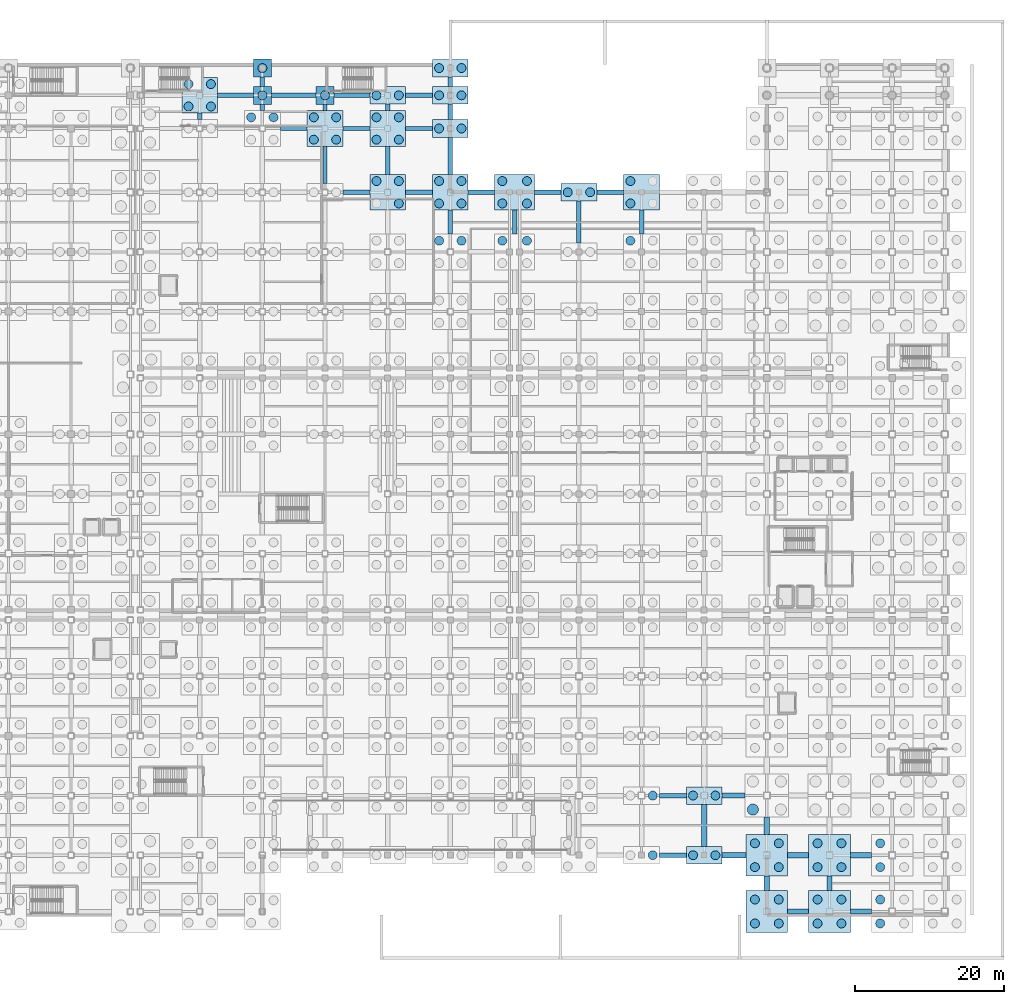
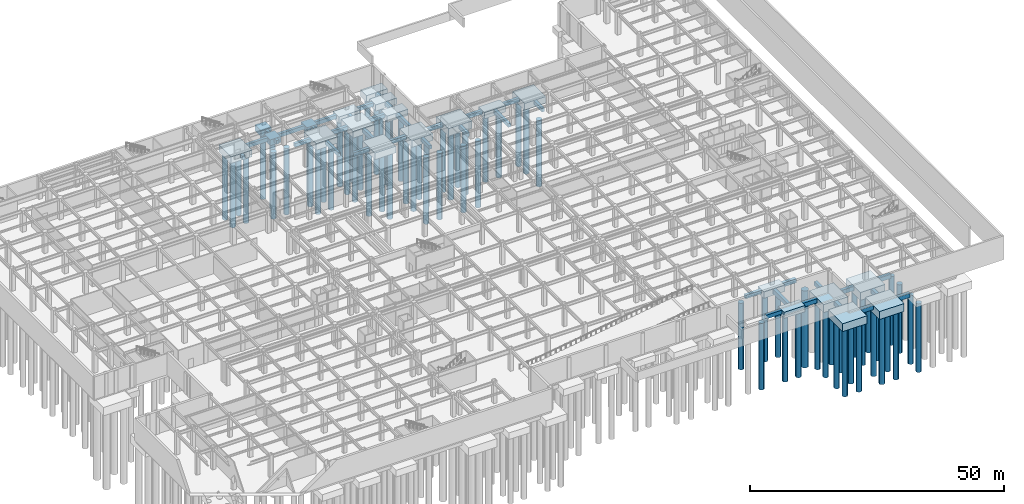
# One storey, part 10 of 55: 72 piles, 59 footings.
"""IFC4 building model written with IfcOpenShell, lengths in metres."""

from ifc_helpers import new_model, si_unit, direction, frame, origin, origin_2d, place, context, subcontext, project, spatial, rectangle, circle, extrude, material, layer, layer_set, material_profile, profile_set, type_object, element, save


model = new_model("IFC4")

# Units and contexts
model_context = context("Model", 3, precision=1e-05, world=origin(), true_north=direction((0.0, 1.0)))
body_context = subcontext(model_context, "Body", "Model", "MODEL_VIEW")
ifc_project = project(units=[si_unit("LENGTHUNIT", "METRE"), si_unit("AREAUNIT", "SQUARE_METRE"), si_unit("VOLUMEUNIT", "CUBIC_METRE"), si_unit("PLANEANGLEUNIT", "RADIAN"), si_unit("MASSUNIT", "GRAM", prefix="KILO")], contexts=[model_context])

# Site, building, storey
site_placement = place(None, origin())
site = spatial("IfcSite", under=ifc_project, at=site_placement, CompositionType="ELEMENT")
building_placement = place(site_placement, origin())
building = spatial("IfcBuilding", under=site, at=building_placement, Name="Kazehara Bluff Congress Hotel", CompositionType="ELEMENT")
storey_placement = place(building_placement, frame((0.0, 0.0, -5.39990234375)))
storey = spatial("IfcBuildingStorey", under=building, at=storey_placement, Name="B1", CompositionType="ELEMENT", Elevation=-5.39990234375)

# Footings
ifc_material_1 = material(Name="Concrete C36/45", Category="concrete")
ifc_material_profile_1 = material_profile(ifc_material_1, rectangle(XDim=0.60009765625, YDim=0.89990234375, at=origin_2d()))
ifc_profile_set_1 = profile_set([ifc_material_profile_1], Name="Concrete C36/45")
footing_type_1 = type_object("IfcFootingType", Name="TP-FB-01", PredefinedType="FOOTING_BEAM", material=ifc_profile_set_1)
for number, where, z_axis, x_axis, name in (
    (1, (129.300048828125, 8.0, -0.9501953125), (1.0, 0.0, 0.0), (0.0, 1.0, 0.0), "Foundation tie beam FB-01 23"),
    (2, (129.300048828125, 16.0, -0.9501953125), (1.0, 0.0, 0.0), (0.0, 1.0, 0.0), "Foundation tie beam FB-01 40"),
    (3, (86.85009765625, 96.89990234375, -0.9501953125), (1.0, 0.0, 0.0), (0.0, 1.0, 0.0), "Foundation tie beam FB-01 208"),
):
    element("IfcFooting", number, at=place(storey_placement, frame(where, z_axis=z_axis, x_axis=x_axis)), inside=storey, type_object=footing_type_1, Name=name, PredefinedType="FOOTING_BEAM", context=body_context, shape_type="SweptSolid", body=[
        extrude(rectangle(XDim=0.60009765625, YDim=0.89990234375, at=origin_2d()), origin(), (0.0, 0.0, 1.0), 3.599853515625),
    ])
footing_1_placement = place(storey_placement, frame((95.25, 96.89990234375, -0.9501953125), z_axis=(1.0, 0.0, 0.0), x_axis=(0.0, 1.0, 0.0)))
element("IfcFooting", 4, at=footing_1_placement, inside=storey, type_object=footing_type_1, Name="Foundation tie beam FB-01 209", PredefinedType="FOOTING_BEAM", context=body_context, shape_type="SweptSolid", body=[
    extrude(rectangle(XDim=0.60009765625, YDim=0.89990234375, at=origin_2d()), origin(), (0.0, 0.0, 1.0), 3.60009765625),
])
for number, where, z_axis, x_axis, name in (
    (5, (103.64990234375, 96.89990234375, -0.9501953125), (1.0, 0.0, 0.0), (0.0, 1.0, 0.0), "Foundation tie beam FB-01 210"),
    (6, (112.574951171875, 96.89990234375, -0.9501953125), (1.0, 0.0, 0.0), (0.0, 1.0, 0.0), "Foundation tie beam FB-01 211"),
):
    element("IfcFooting", number, at=place(storey_placement, frame(where, z_axis=z_axis, x_axis=x_axis)), inside=storey, type_object=footing_type_1, Name=name, PredefinedType="FOOTING_BEAM", context=body_context, shape_type="SweptSolid", body=[
        extrude(rectangle(XDim=0.60009765625, YDim=0.89990234375, at=origin_2d()), origin(), (0.0, 0.0, 1.0), 3.525146484375),
    ])
for number, where, z_axis, x_axis, name in (
    (7, (120.89990234375, 96.89990234375, -0.9501953125), (1.0, 0.0, 0.0), (0.0, 1.0, 0.0), "Foundation tie beam FB-01 212"),
    (8, (78.449951171875, 105.449951171875, -0.9501953125), (1.0, 0.0, 0.0), (0.0, 1.0, 0.0), "Foundation tie beam FB-01 226"),
):
    element("IfcFooting", number, at=place(storey_placement, frame(where, z_axis=z_axis, x_axis=x_axis)), inside=storey, type_object=footing_type_1, Name=name, PredefinedType="FOOTING_BEAM", context=body_context, shape_type="SweptSolid", body=[
        extrude(rectangle(XDim=0.60009765625, YDim=0.89990234375, at=origin_2d()), origin(), (0.0, 0.0, 1.0), 3.60009765625),
    ])
footing_2_placement = place(storey_placement, frame((86.85009765625, 105.449951171875, -0.9501953125), z_axis=(1.0, 0.0, 0.0), x_axis=(0.0, 1.0, 0.0)))
element("IfcFooting", 9, at=footing_2_placement, inside=storey, type_object=footing_type_1, Name="Foundation tie beam FB-01 227", PredefinedType="FOOTING_BEAM", context=body_context, shape_type="SweptSolid", body=[
    extrude(rectangle(XDim=0.60009765625, YDim=0.89990234375, at=origin_2d()), origin(), (0.0, 0.0, 1.0), 3.599853515625),
])
footing_3_placement = place(storey_placement, frame((95.25, 105.449951171875, -0.9501953125), z_axis=(1.0, 0.0, 0.0), x_axis=(0.0, 1.0, 0.0)))
element("IfcFooting", 10, at=footing_3_placement, inside=storey, type_object=footing_type_1, Name="Foundation tie beam FB-01 228", PredefinedType="FOOTING_BEAM", context=body_context, shape_type="SweptSolid", body=[
    extrude(rectangle(XDim=0.60009765625, YDim=0.89990234375, at=origin_2d()), origin(), (0.0, 0.0, 1.0), 3.60009765625),
])
footing_4_placement = place(storey_placement, frame((70.050048828125, 109.89990234375, -0.9501953125), z_axis=(1.0, 0.0, 0.0), x_axis=(0.0, 1.0, 0.0)))
element("IfcFooting", 11, at=footing_4_placement, inside=storey, type_object=footing_type_1, Name="Foundation tie beam FB-01 236", PredefinedType="FOOTING_BEAM", context=body_context, shape_type="SweptSolid", body=[
    extrude(rectangle(XDim=0.60009765625, YDim=0.89990234375, at=origin_2d()), origin(), (0.0, 0.0, 1.0), 4.800048828125),
])
footing_5_placement = place(storey_placement, frame((77.25, 109.89990234375, -0.9501953125), z_axis=(1.0, 0.0, 0.0), x_axis=(0.0, 1.0, 0.0)))
element("IfcFooting", 12, at=footing_5_placement, inside=storey, type_object=footing_type_1, Name="Foundation tie beam FB-01 237", PredefinedType="FOOTING_BEAM", context=body_context, shape_type="SweptSolid", body=[
    extrude(rectangle(XDim=0.60009765625, YDim=0.89990234375, at=origin_2d()), origin(), (0.0, 0.0, 1.0), 6.0),
])
footing_6_placement = place(storey_placement, frame((85.64990234375, 109.89990234375, -0.9501953125), z_axis=(1.0, 0.0, 0.0), x_axis=(0.0, 1.0, 0.0)))
element("IfcFooting", 13, at=footing_6_placement, inside=storey, type_object=footing_type_1, Name="Foundation tie beam FB-01 238", PredefinedType="FOOTING_BEAM", context=body_context, shape_type="SweptSolid", body=[
    extrude(rectangle(XDim=0.60009765625, YDim=0.89990234375, at=origin_2d()), origin(), (0.0, 0.0, 1.0), 4.800048828125),
])
footing_7_placement = place(storey_placement, frame((95.25, 109.89990234375, -0.9501953125), z_axis=(1.0, 0.0, 0.0), x_axis=(0.0, 1.0, 0.0)))
element("IfcFooting", 14, at=footing_7_placement, inside=storey, type_object=footing_type_1, Name="Foundation tie beam FB-01 239", PredefinedType="FOOTING_BEAM", context=body_context, shape_type="SweptSolid", body=[
    extrude(rectangle(XDim=0.60009765625, YDim=0.89990234375, at=origin_2d()), origin(), (0.0, 0.0, 1.0), 3.60009765625),
])
footing_8_placement = place(storey_placement, frame((67.64990234375, 106.625, -0.9501953125), z_axis=(0.0, 1.0, 0.0), x_axis=(-1.0, 0.0, 0.0)))
element("IfcFooting", 15, at=footing_8_placement, inside=storey, type_object=footing_type_1, Name="Foundation tie beam FB-01 350", PredefinedType="FOOTING_BEAM", context=body_context, shape_type="SweptSolid", body=[
    extrude(rectangle(XDim=0.60009765625, YDim=0.89990234375, at=origin_2d()), origin(), (0.0, 0.0, 1.0), 0.875),
])
footing_9_placement = place(storey_placement, frame((76.050048828125, 107.85009765625, -0.9501953125), z_axis=(0.0, 1.0, 0.0), x_axis=(-1.0, 0.0, 0.0)))
element("IfcFooting", 16, at=footing_9_placement, inside=storey, type_object=footing_type_1, Name="Foundation tie beam FB-01 363", PredefinedType="FOOTING_BEAM", context=body_context, shape_type="SweptSolid", body=[
    extrude(rectangle(XDim=0.60009765625, YDim=0.89990234375, at=origin_2d()), origin(), (0.0, 0.0, 1.0), 0.849853515625),
])
footing_10_placement = place(storey_placement, frame((76.050048828125, 111.10009765625, -0.9501953125), z_axis=(0.0, 1.0, 0.0), x_axis=(-1.0, 0.0, 0.0)))
element("IfcFooting", 17, at=footing_10_placement, inside=storey, type_object=footing_type_1, Name="Foundation tie beam FB-01 364", PredefinedType="FOOTING_BEAM", context=body_context, shape_type="SweptSolid", body=[
    extrude(rectangle(XDim=0.60009765625, YDim=0.89990234375, at=origin_2d()), origin(), (0.0, 0.0, 1.0), 1.25),
])
footing_11_placement = place(storey_placement, frame((84.449951171875, 98.074951171875, -0.9501953125), z_axis=(0.0, 1.0, 0.0), x_axis=(-1.0, 0.0, 0.0)))
element("IfcFooting", 18, at=footing_11_placement, inside=storey, type_object=footing_type_1, Name="Foundation tie beam FB-01 374", PredefinedType="FOOTING_BEAM", context=body_context, shape_type="SweptSolid", body=[
    extrude(rectangle(XDim=0.60009765625, YDim=0.89990234375, at=origin_2d()), origin(), (0.0, 0.0, 1.0), 4.97509765625),
])
footing_12_placement = place(storey_placement, frame((84.449951171875, 107.85009765625, -0.9501953125), z_axis=(0.0, 1.0, 0.0), x_axis=(-1.0, 0.0, 0.0)))
element("IfcFooting", 19, at=footing_12_placement, inside=storey, type_object=footing_type_1, Name="Foundation tie beam FB-01 375", PredefinedType="FOOTING_BEAM", context=body_context, shape_type="SweptSolid", body=[
    extrude(rectangle(XDim=0.60009765625, YDim=0.89990234375, at=origin_2d()), origin(), (0.0, 0.0, 1.0), 0.849853515625),
])
footing_13_placement = place(storey_placement, frame((92.85009765625, 99.300048828125, -0.9501953125), z_axis=(0.0, 1.0, 0.0), x_axis=(-1.0, 0.0, 0.0)))
element("IfcFooting", 20, at=footing_13_placement, inside=storey, type_object=footing_type_1, Name="Foundation tie beam FB-01 387", PredefinedType="FOOTING_BEAM", context=body_context, shape_type="SweptSolid", body=[
    extrude(rectangle(XDim=0.60009765625, YDim=0.89990234375, at=origin_2d()), origin(), (0.0, 0.0, 1.0), 3.75),
])
footing_14_placement = place(storey_placement, frame((92.85009765625, 107.85009765625, -0.9501953125), z_axis=(0.0, 1.0, 0.0), x_axis=(-1.0, 0.0, 0.0)))
element("IfcFooting", 21, at=footing_14_placement, inside=storey, type_object=footing_type_1, Name="Foundation tie beam FB-01 388", PredefinedType="FOOTING_BEAM", context=body_context, shape_type="SweptSolid", body=[
    extrude(rectangle(XDim=0.60009765625, YDim=0.89990234375, at=origin_2d()), origin(), (0.0, 0.0, 1.0), 0.875),
])
footing_15_placement = place(storey_placement, frame((101.25, 91.300048828125, -0.9501953125), z_axis=(0.0, 1.0, 0.0), x_axis=(-1.0, 0.0, 0.0)))
element("IfcFooting", 22, at=footing_15_placement, inside=storey, type_object=footing_type_1, Name="Foundation tie beam FB-01 399", PredefinedType="FOOTING_BEAM", context=body_context, shape_type="SweptSolid", body=[
    extrude(rectangle(XDim=0.60009765625, YDim=0.89990234375, at=origin_2d()), origin(), (0.0, 0.0, 1.0), 3.199951171875),
])
footing_16_placement = place(storey_placement, frame((101.25, 99.300048828125, -0.9501953125), z_axis=(0.0, 1.0, 0.0), x_axis=(-1.0, 0.0, 0.0)))
element("IfcFooting", 23, at=footing_16_placement, inside=storey, type_object=footing_type_1, Name="Foundation tie beam FB-01 400", PredefinedType="FOOTING_BEAM", context=body_context, shape_type="SweptSolid", body=[
    extrude(rectangle(XDim=0.60009765625, YDim=0.89990234375, at=origin_2d()), origin(), (0.0, 0.0, 1.0), 4.974853515625),
])
footing_17_placement = place(storey_placement, frame((101.25, 106.625, -0.9501953125), z_axis=(0.0, 1.0, 0.0), x_axis=(-1.0, 0.0, 0.0)))
element("IfcFooting", 24, at=footing_17_placement, inside=storey, type_object=footing_type_1, Name="Foundation tie beam FB-01 401", PredefinedType="FOOTING_BEAM", context=body_context, shape_type="SweptSolid", body=[
    extrude(rectangle(XDim=0.60009765625, YDim=0.89990234375, at=origin_2d()), origin(), (0.0, 0.0, 1.0), 2.10009765625),
])
footing_18_placement = place(storey_placement, frame((101.25, 111.074951171875, -0.9501953125), z_axis=(0.0, 1.0, 0.0), x_axis=(-1.0, 0.0, 0.0)))
element("IfcFooting", 25, at=footing_18_placement, inside=storey, type_object=footing_type_1, Name="Foundation tie beam FB-01 402", PredefinedType="FOOTING_BEAM", context=body_context, shape_type="SweptSolid", body=[
    extrude(rectangle(XDim=0.60009765625, YDim=0.89990234375, at=origin_2d()), origin(), (0.0, 0.0, 1.0), 1.300048828125),
])
footing_19_placement = place(storey_placement, frame((109.875, 91.300048828125, -0.9501953125), z_axis=(0.0, 1.0, 0.0), x_axis=(-1.0, 0.0, 0.0)))
element("IfcFooting", 26, at=footing_19_placement, inside=storey, type_object=footing_type_1, Name="Foundation tie beam FB-01 413", PredefinedType="FOOTING_BEAM", context=body_context, shape_type="SweptSolid", body=[
    extrude(rectangle(XDim=0.60009765625, YDim=0.89990234375, at=origin_2d()), origin(), (0.0, 0.0, 1.0), 3.199951171875),
])
footing_20_placement = place(storey_placement, frame((118.5, 90.074951171875, -0.9501953125), z_axis=(0.0, 1.0, 0.0), x_axis=(-1.0, 0.0, 0.0)))
element("IfcFooting", 27, at=footing_20_placement, inside=storey, type_object=footing_type_1, Name="Foundation tie beam FB-01 424", PredefinedType="FOOTING_BEAM", context=body_context, shape_type="SweptSolid", body=[
    extrude(rectangle(XDim=0.60009765625, YDim=0.89990234375, at=origin_2d()), origin(), (0.0, 0.0, 1.0), 5.650146484375),
])
footing_21_placement = place(storey_placement, frame((126.89990234375, 91.300048828125, -0.9501953125), z_axis=(0.0, 1.0, 0.0), x_axis=(-1.0, 0.0, 0.0)))
element("IfcFooting", 28, at=footing_21_placement, inside=storey, type_object=footing_type_1, Name="Foundation tie beam FB-01 435", PredefinedType="FOOTING_BEAM", context=body_context, shape_type="SweptSolid", body=[
    extrude(rectangle(XDim=0.60009765625, YDim=0.89990234375, at=origin_2d()), origin(), (0.0, 0.0, 1.0), 3.199951171875),
])
ifc_material_2 = material(Name="Concrete C36/45", Category="concrete")
ifc_material_profile_2 = material_profile(ifc_material_2, rectangle(XDim=0.699951171875, YDim=1.0, at=origin_2d()))
ifc_profile_set_2 = profile_set([ifc_material_profile_2], Name="Concrete C36/45")
footing_type_2 = type_object("IfcFootingType", Name="TP-FB-02", PredefinedType="FOOTING_BEAM", material=ifc_profile_set_2)
for number, where, z_axis, x_axis, name in (
    (29, (146.5, 0.449951171875, -1.0), (1.0, 0.0, 0.0), (0.0, 1.0, 0.0), "Foundation tie beam FB-02 6"),
    (30, (154.89990234375, 0.449951171875, -1.0), (1.0, 0.0, 0.0), (0.0, 1.0, 0.0), "Foundation tie beam FB-02 7"),
):
    element("IfcFooting", number, at=place(storey_placement, frame(where, z_axis=z_axis, x_axis=x_axis)), inside=storey, type_object=footing_type_2, Name=name, PredefinedType="FOOTING_BEAM", context=body_context, shape_type="SweptSolid", body=[
        extrude(rectangle(XDim=0.699951171875, YDim=1.0, at=origin_2d()), origin(), (0.0, 0.0, 1.0), 2.800048828125),
    ])
footing_22_placement = place(storey_placement, frame((137.699951171875, 8.0, -1.0), z_axis=(1.0, 0.0, 0.0), x_axis=(0.0, 1.0, 0.0)))
element("IfcFooting", 31, at=footing_22_placement, inside=storey, type_object=footing_type_2, Name="Foundation tie beam FB-02 24", PredefinedType="FOOTING_BEAM", context=body_context, shape_type="SweptSolid", body=[
    extrude(rectangle(XDim=0.699951171875, YDim=1.0, at=origin_2d()), origin(), (0.0, 0.0, 1.0), 3.199951171875),
])
for number, where, z_axis, x_axis, name in (
    (32, (146.5, 8.0, -1.0), (1.0, 0.0, 0.0), (0.0, 1.0, 0.0), "Foundation tie beam FB-02 25"),
    (33, (154.89990234375, 8.0, -1.0), (1.0, 0.0, 0.0), (0.0, 1.0, 0.0), "Foundation tie beam FB-02 26"),
):
    element("IfcFooting", number, at=place(storey_placement, frame(where, z_axis=z_axis, x_axis=x_axis)), inside=storey, type_object=footing_type_2, Name=name, PredefinedType="FOOTING_BEAM", context=body_context, shape_type="SweptSolid", body=[
        extrude(rectangle(XDim=0.699951171875, YDim=1.0, at=origin_2d()), origin(), (0.0, 0.0, 1.0), 2.800048828125),
    ])
footing_23_placement = place(storey_placement, frame((137.699951171875, 16.0, -1.0), z_axis=(1.0, 0.0, 0.0), x_axis=(0.0, 1.0, 0.0)))
element("IfcFooting", 34, at=footing_23_placement, inside=storey, type_object=footing_type_2, Name="Foundation tie beam FB-02 41", PredefinedType="FOOTING_BEAM", context=body_context, shape_type="SweptSolid", body=[
    extrude(rectangle(XDim=0.699951171875, YDim=1.0, at=origin_2d()), origin(), (0.0, 0.0, 1.0), 3.10009765625),
])
footing_24_placement = place(storey_placement, frame((135.300048828125, 9.175048828125, -1.0), z_axis=(0.0, 1.0, 0.0), x_axis=(-1.0, 0.0, 0.0)))
element("IfcFooting", 35, at=footing_24_placement, inside=storey, type_object=footing_type_2, Name="Foundation tie beam FB-02 436", PredefinedType="FOOTING_BEAM", context=body_context, shape_type="SweptSolid", body=[
    extrude(rectangle(XDim=0.699951171875, YDim=1.0, at=origin_2d()), origin(), (0.0, 0.0, 1.0), 5.64990234375),
])
footing_25_placement = place(storey_placement, frame((143.699951171875, 3.25, -1.0), z_axis=(0.0, 1.0, 0.0), x_axis=(-1.0, 0.0, 0.0)))
element("IfcFooting", 36, at=footing_25_placement, inside=storey, type_object=footing_type_2, Name="Foundation tie beam FB-02 447", PredefinedType="FOOTING_BEAM", context=body_context, shape_type="SweptSolid", body=[
    extrude(rectangle(XDim=0.699951171875, YDim=1.0, at=origin_2d()), origin(), (0.0, 0.0, 1.0), 1.949951171875),
])
footing_26_placement = place(storey_placement, frame((143.699951171875, 10.800048828125, -1.0), z_axis=(0.0, 1.0, 0.0), x_axis=(-1.0, 0.0, 0.0)))
element("IfcFooting", 37, at=footing_26_placement, inside=storey, type_object=footing_type_2, Name="Foundation tie beam FB-02 448", PredefinedType="FOOTING_BEAM", context=body_context, shape_type="SweptSolid", body=[
    extrude(rectangle(XDim=0.699951171875, YDim=1.0, at=origin_2d()), origin(), (0.0, 0.0, 1.0), 2.300048828125),
])
footing_27_placement = place(storey_placement, frame((152.10009765625, 3.25, -1.0), z_axis=(0.0, 1.0, 0.0), x_axis=(-1.0, 0.0, 0.0)))
element("IfcFooting", 38, at=footing_27_placement, inside=storey, type_object=footing_type_2, Name="Foundation tie beam FB-02 460", PredefinedType="FOOTING_BEAM", context=body_context, shape_type="SweptSolid", body=[
    extrude(rectangle(XDim=0.699951171875, YDim=1.0, at=origin_2d()), origin(), (0.0, 0.0, 1.0), 1.949951171875),
])
ifc_material_3 = material(Name="Concrete C36/45", Category="concrete")
ifc_layer_1 = layer(ifc_material_3, 1.39990234375)
ifc_layer_set_1 = layer_set([ifc_layer_1], Name="Concrete C36/45")
footing_type_3 = type_object("IfcFootingType", Name="TP-PC-01", PredefinedType="PILE_CAP", material=ifc_layer_set_1)
for number, where, z_axis, x_axis, name in (
    (39, (76.050048828125, 109.89990234375, -1.900146484375), (0.0, 0.0, 1.0), (1.0, 0.0, 0.0), "Pile cap PC-01 142"),
    (40, (76.050048828125, 113.550048828125, -1.900146484375), (0.0, 0.0, 1.0), (1.0, 0.0, 0.0), "Pile cap PC-01 143"),
    (41, (84.449951171875, 109.89990234375, -1.900146484375), (0.0, 0.0, 1.0), (1.0, 0.0, 0.0), "Pile cap PC-01 156"),
):
    element("IfcFooting", number, at=place(storey_placement, frame(where, z_axis=z_axis, x_axis=x_axis)), inside=storey, type_object=footing_type_3, Name=name, PredefinedType="PILE_CAP", context=body_context, shape_type="SweptSolid", body=[
        extrude(rectangle(XDim=2.39990234375, YDim=2.39990234375, at=origin_2d()), origin(), (0.0, 0.0, 1.0), 1.39990234375),
    ])
ifc_material_4 = material(Name="Concrete C36/45", Category="concrete")
ifc_layer_2 = layer(ifc_material_4, 1.5)
ifc_layer_set_2 = layer_set([ifc_layer_2], Name="Concrete C36/45")
footing_type_4 = type_object("IfcFootingType", Name="TP-PC-02", PredefinedType="PILE_CAP", material=ifc_layer_set_2)
for number, where, z_axis, x_axis, name in (
    (42, (92.85009765625, 109.89990234375, -2.0), (0.0, 0.0, 1.0), (1.0, 0.0, 0.0), "Pile cap PC-02 170"),
    (43, (101.25, 105.449951171875, -2.0), (0.0, 0.0, 1.0), (1.0, 0.0, 0.0), "Pile cap PC-02 183"),
    (44, (101.25, 109.89990234375, -2.0), (0.0, 0.0, 1.0), (1.0, 0.0, 0.0), "Pile cap PC-02 184"),
    (45, (101.25, 113.550048828125, -2.0), (0.0, 0.0, 1.0), (1.0, 0.0, 0.0), "Pile cap PC-02 185"),
    (46, (118.5, 96.89990234375, -2.0), (0.0, 0.0, 1.0), (1.0, 0.0, 0.0), "Pile cap PC-02 209"),
    (47, (135.300048828125, 8.0, -2.0), (0.0, 0.0, 1.0), (1.0, 0.0, 0.0), "Pile cap PC-02 222"),
    (48, (135.300048828125, 16.0, -2.0), (0.0, 0.0, 1.0), (1.0, 0.0, 0.0), "Pile cap PC-02 223"),
):
    element("IfcFooting", number, at=place(storey_placement, frame(where, z_axis=z_axis, x_axis=x_axis)), inside=storey, type_object=footing_type_4, Name=name, PredefinedType="PILE_CAP", context=body_context, shape_type="SweptSolid", body=[
        extrude(rectangle(XDim=4.800048828125, YDim=2.35009765625, at=origin_2d()), origin(), (0.0, 0.0, 1.0), 1.5),
    ])
ifc_material_5 = material(Name="Concrete C36/45", Category="concrete")
ifc_layer_3 = layer(ifc_material_5, 1.60009765625)
ifc_layer_set_3 = layer_set([ifc_layer_3], Name="Concrete C36/45")
footing_type_5 = type_object("IfcFootingType", Name="TP-PC-04", PredefinedType="PILE_CAP", material=ifc_layer_set_3)
for number, where, z_axis, x_axis, name in (
    (49, (67.64990234375, 109.89990234375, -2.10009765625), (0.0, 0.0, 1.0), (1.0, 0.0, 0.0), "Pile cap PC-04 128"),
    (50, (84.449951171875, 105.449951171875, -2.10009765625), (0.0, 0.0, 1.0), (1.0, 0.0, 0.0), "Pile cap PC-04 155"),
    (51, (92.85009765625, 96.89990234375, -2.10009765625), (0.0, 0.0, 1.0), (1.0, 0.0, 0.0), "Pile cap PC-04 168"),
    (52, (92.85009765625, 105.449951171875, -2.10009765625), (0.0, 0.0, 1.0), (1.0, 0.0, 0.0), "Pile cap PC-04 169"),
    (53, (101.25, 96.89990234375, -2.10009765625), (0.0, 0.0, 1.0), (1.0, 0.0, 0.0), "Pile cap PC-04 182"),
    (54, (126.89990234375, 96.89990234375, -2.10009765625), (0.0, 0.0, 1.0), (1.0, 0.0, 0.0), "Pile cap PC-04 221"),
):
    element("IfcFooting", number, at=place(storey_placement, frame(where, z_axis=z_axis, x_axis=x_axis)), inside=storey, type_object=footing_type_5, Name=name, PredefinedType="PILE_CAP", context=body_context, shape_type="SweptSolid", body=[
        extrude(rectangle(XDim=4.800048828125, YDim=4.800048828125, at=origin_2d()), origin(), (0.0, 0.0, 1.0), 1.60009765625),
    ])
ifc_material_6 = material(Name="Concrete C36/45", Category="concrete")
ifc_layer_4 = layer(ifc_material_6, 1.800048828125)
ifc_layer_set_4 = layer_set([ifc_layer_4], Name="Concrete C36/45")
footing_type_6 = type_object("IfcFootingType", Name="TP-PC-07", PredefinedType="PILE_CAP", material=ifc_layer_set_4)
footing_28_placement = place(storey_placement, frame((109.875, 96.89990234375, -2.30029296875), z_axis=(0.0, 0.0, 1.0), x_axis=(1.0, 0.0, 0.0)))
element("IfcFooting", 55, at=footing_28_placement, inside=storey, type_object=footing_type_6, Name="Pile cap PC-07 197", PredefinedType="PILE_CAP", context=body_context, shape_type="SweptSolid", body=[
    extrude(rectangle(XDim=5.39990234375, YDim=4.800048828125, at=origin_2d()), origin(), (0.0, 0.0, 1.0), 1.800048828125),
])
ifc_material_7 = material(Name="Concrete C36/45", Category="concrete")
ifc_layer_5 = layer(ifc_material_7, 1.89990234375)
ifc_layer_set_5 = layer_set([ifc_layer_5], Name="Concrete C36/45")
footing_type_7 = type_object("IfcFootingType", Name="TP-PC-09", PredefinedType="PILE_CAP", material=ifc_layer_set_5)
for number, where, z_axis, x_axis, name in (
    (56, (143.699951171875, 0.449951171875, -2.400146484375), (0.0, 0.0, 1.0), (1.0, 0.0, 0.0), "Pile cap PC-09 234"),
    (57, (143.699951171875, 8.0, -2.400146484375), (0.0, 0.0, 1.0), (1.0, 0.0, 0.0), "Pile cap PC-09 235"),
    (58, (152.10009765625, 0.449951171875, -2.400146484375), (0.0, 0.0, 1.0), (1.0, 0.0, 0.0), "Pile cap PC-09 249"),
    (59, (152.10009765625, 8.0, -2.400146484375), (0.0, 0.0, 1.0), (1.0, 0.0, 0.0), "Pile cap PC-09 250"),
):
    element("IfcFooting", number, at=place(storey_placement, frame(where, z_axis=z_axis, x_axis=x_axis)), inside=storey, type_object=footing_type_7, Name=name, PredefinedType="PILE_CAP", context=body_context, shape_type="SweptSolid", body=[
        extrude(rectangle(XDim=5.60009765625, YDim=5.60009765625, at=origin_2d()), origin(), (0.0, 0.0, 1.0), 1.89990234375),
    ])

# Piles
ifc_material_8 = material(Name="Concrete C36/45", Category="concrete")
ifc_material_profile_3 = material_profile(ifc_material_8, circle(Radius=0.60009765625, at=origin_2d()))
ifc_profile_set_3 = profile_set([ifc_material_profile_3], Name="Concrete C36/45")
pile_type_1 = type_object("IfcPileType", Name="TP-PILE-1200", PredefinedType="BORED", material=ifc_profile_set_3)
for number, where, z_axis, x_axis, name in (
    (60, (66.14990234375, 108.39990234375, -2.0), (0.0, 0.0, -1.0), (1.0, 0.0, 0.0), "Bored pile FND-PC-128-P1"),
    (61, (69.14990234375, 108.39990234375, -2.0), (0.0, 0.0, -1.0), (1.0, 0.0, 0.0), "Bored pile FND-PC-128-P2"),
    (62, (66.14990234375, 111.39990234375, -2.0), (0.0, 0.0, -1.0), (1.0, 0.0, 0.0), "Bored pile FND-PC-128-P3"),
    (63, (69.14990234375, 111.39990234375, -2.0), (0.0, 0.0, -1.0), (1.0, 0.0, 0.0), "Bored pile FND-PC-128-P4"),
    (64, (74.550048828125, 106.949951171875, -2.0), (0.0, 0.0, -1.0), (1.0, 0.0, 0.0), "Bored pile FND-PC-141-P3"),
    (65, (77.550048828125, 106.949951171875, -2.0), (0.0, 0.0, -1.0), (1.0, 0.0, 0.0), "Bored pile FND-PC-141-P4"),
    (66, (76.050048828125, 109.89990234375, -1.800048828125), (0.0, 0.0, -1.0), (1.0, 0.0, 0.0), "Bored pile FND-PC-142-P1"),
    (67, (76.050048828125, 113.550048828125, -1.800048828125), (0.0, 0.0, -1.0), (1.0, 0.0, 0.0), "Bored pile FND-PC-143-P1"),
    (68, (82.949951171875, 103.949951171875, -2.0), (0.0, 0.0, -1.0), (1.0, 0.0, 0.0), "Bored pile FND-PC-155-P1"),
    (69, (85.949951171875, 103.949951171875, -2.0), (0.0, 0.0, -1.0), (1.0, 0.0, 0.0), "Bored pile FND-PC-155-P2"),
    (70, (82.949951171875, 106.949951171875, -2.0), (0.0, 0.0, -1.0), (1.0, 0.0, 0.0), "Bored pile FND-PC-155-P3"),
    (71, (85.949951171875, 106.949951171875, -2.0), (0.0, 0.0, -1.0), (1.0, 0.0, 0.0), "Bored pile FND-PC-155-P4"),
    (72, (84.449951171875, 109.89990234375, -1.800048828125), (0.0, 0.0, -1.0), (1.0, 0.0, 0.0), "Bored pile FND-PC-156-P1"),
    (73, (94.35009765625, 95.39990234375, -2.0), (0.0, 0.0, -1.0), (1.0, 0.0, 0.0), "Bored pile FND-PC-168-P2"),
    (74, (91.35009765625, 98.39990234375, -2.0), (0.0, 0.0, -1.0), (1.0, 0.0, 0.0), "Bored pile FND-PC-168-P3"),
    (75, (94.35009765625, 98.39990234375, -2.0), (0.0, 0.0, -1.0), (1.0, 0.0, 0.0), "Bored pile FND-PC-168-P4"),
    (76, (91.35009765625, 103.949951171875, -2.0), (0.0, 0.0, -1.0), (1.0, 0.0, 0.0), "Bored pile FND-PC-169-P1"),
    (77, (94.35009765625, 103.949951171875, -2.0), (0.0, 0.0, -1.0), (1.0, 0.0, 0.0), "Bored pile FND-PC-169-P2"),
    (78, (91.35009765625, 106.949951171875, -2.0), (0.0, 0.0, -1.0), (1.0, 0.0, 0.0), "Bored pile FND-PC-169-P3"),
    (79, (94.35009765625, 106.949951171875, -2.0), (0.0, 0.0, -1.0), (1.0, 0.0, 0.0), "Bored pile FND-PC-169-P4"),
    (80, (91.35009765625, 109.89990234375, -1.900146484375), (0.0, 0.0, -1.0), (1.0, 0.0, 0.0), "Bored pile FND-PC-170-P1"),
    (81, (94.35009765625, 109.89990234375, -1.900146484375), (0.0, 0.0, -1.0), (1.0, 0.0, 0.0), "Bored pile FND-PC-170-P2"),
    (82, (99.75, 90.39990234375, -2.0), (0.0, 0.0, -1.0), (1.0, 0.0, 0.0), "Bored pile FND-PC-181-P3"),
    (83, (102.75, 90.39990234375, -2.0), (0.0, 0.0, -1.0), (1.0, 0.0, 0.0), "Bored pile FND-PC-181-P4"),
    (84, (99.75, 95.39990234375, -2.0), (0.0, 0.0, -1.0), (1.0, 0.0, 0.0), "Bored pile FND-PC-182-P1"),
    (85, (102.75, 95.39990234375, -2.0), (0.0, 0.0, -1.0), (1.0, 0.0, 0.0), "Bored pile FND-PC-182-P2"),
    (86, (99.75, 98.39990234375, -2.0), (0.0, 0.0, -1.0), (1.0, 0.0, 0.0), "Bored pile FND-PC-182-P3"),
    (87, (102.75, 98.39990234375, -2.0), (0.0, 0.0, -1.0), (1.0, 0.0, 0.0), "Bored pile FND-PC-182-P4"),
    (88, (99.75, 105.449951171875, -1.900146484375), (0.0, 0.0, -1.0), (1.0, 0.0, 0.0), "Bored pile FND-PC-183-P1"),
    (89, (102.75, 105.449951171875, -1.900146484375), (0.0, 0.0, -1.0), (1.0, 0.0, 0.0), "Bored pile FND-PC-183-P2"),
    (90, (99.75, 109.89990234375, -1.900146484375), (0.0, 0.0, -1.0), (1.0, 0.0, 0.0), "Bored pile FND-PC-184-P1"),
    (91, (102.75, 109.89990234375, -1.900146484375), (0.0, 0.0, -1.0), (1.0, 0.0, 0.0), "Bored pile FND-PC-184-P2"),
    (92, (99.75, 113.550048828125, -1.900146484375), (0.0, 0.0, -1.0), (1.0, 0.0, 0.0), "Bored pile FND-PC-185-P1"),
    (93, (102.75, 113.550048828125, -1.900146484375), (0.0, 0.0, -1.0), (1.0, 0.0, 0.0), "Bored pile FND-PC-185-P2"),
    (94, (108.22509765625, 90.39990234375, -2.2001953125), (0.0, 0.0, -1.0), (1.0, 0.0, 0.0), "Bored pile FND-PC-196-P3"),
    (95, (111.52490234375, 90.39990234375, -2.2001953125), (0.0, 0.0, -1.0), (1.0, 0.0, 0.0), "Bored pile FND-PC-196-P4"),
    (96, (108.22509765625, 95.39990234375, -2.2001953125), (0.0, 0.0, -1.0), (1.0, 0.0, 0.0), "Bored pile FND-PC-197-P1"),
    (97, (111.52490234375, 95.39990234375, -2.2001953125), (0.0, 0.0, -1.0), (1.0, 0.0, 0.0), "Bored pile FND-PC-197-P2"),
    (98, (108.22509765625, 98.39990234375, -2.2001953125), (0.0, 0.0, -1.0), (1.0, 0.0, 0.0), "Bored pile FND-PC-197-P3"),
    (99, (111.52490234375, 98.39990234375, -2.2001953125), (0.0, 0.0, -1.0), (1.0, 0.0, 0.0), "Bored pile FND-PC-197-P4"),
    (100, (117.0, 96.89990234375, -1.900146484375), (0.0, 0.0, -1.0), (1.0, 0.0, 0.0), "Bored pile FND-PC-209-P1"),
    (101, (120.0, 96.89990234375, -1.900146484375), (0.0, 0.0, -1.0), (1.0, 0.0, 0.0), "Bored pile FND-PC-209-P2"),
    (102, (128.39990234375, 8.0, -1.900146484375), (0.0, 0.0, -1.0), (1.0, 0.0, 0.0), "Bored pile FND-PC-210-P2"),
    (103, (128.39990234375, 16.0, -1.900146484375), (0.0, 0.0, -1.0), (1.0, 0.0, 0.0), "Bored pile FND-PC-211-P2"),
    (104, (125.39990234375, 90.39990234375, -2.0), (0.0, 0.0, -1.0), (1.0, 0.0, 0.0), "Bored pile FND-PC-220-P3"),
    (105, (125.39990234375, 95.39990234375, -2.0), (0.0, 0.0, -1.0), (1.0, 0.0, 0.0), "Bored pile FND-PC-221-P1"),
    (106, (125.39990234375, 98.39990234375, -2.0), (0.0, 0.0, -1.0), (1.0, 0.0, 0.0), "Bored pile FND-PC-221-P3"),
    (107, (133.800048828125, 8.0, -1.900146484375), (0.0, 0.0, -1.0), (1.0, 0.0, 0.0), "Bored pile FND-PC-222-P1"),
    (108, (136.800048828125, 8.0, -1.900146484375), (0.0, 0.0, -1.0), (1.0, 0.0, 0.0), "Bored pile FND-PC-222-P2"),
    (109, (133.800048828125, 16.0, -1.900146484375), (0.0, 0.0, -1.0), (1.0, 0.0, 0.0), "Bored pile FND-PC-223-P1"),
    (110, (136.800048828125, 16.0, -1.900146484375), (0.0, 0.0, -1.0), (1.0, 0.0, 0.0), "Bored pile FND-PC-223-P2"),
):
    element("IfcPile", number, at=place(storey_placement, frame(where, z_axis=z_axis, x_axis=x_axis)), inside=storey, type_object=pile_type_1, Name=name, PredefinedType="BORED", context=body_context, shape_type="SweptSolid", body=[
        extrude(circle(Radius=0.60009765625, at=origin_2d()), origin(), (0.0, 0.0, 1.0), 16.0),
    ])
for number, where, z_axis, x_axis, name in (
    (111, (142.10009765625, -1.14990234375, -2.300048828125), (0.0, 0.0, -1.0), (1.0, 0.0, 0.0), "Bored pile FND-PC-234-P1"),
    (112, (145.300048828125, -1.14990234375, -2.300048828125), (0.0, 0.0, -1.0), (1.0, 0.0, 0.0), "Bored pile FND-PC-234-P2"),
    (113, (142.10009765625, 2.050048828125, -2.300048828125), (0.0, 0.0, -1.0), (1.0, 0.0, 0.0), "Bored pile FND-PC-234-P3"),
    (114, (145.300048828125, 2.050048828125, -2.300048828125), (0.0, 0.0, -1.0), (1.0, 0.0, 0.0), "Bored pile FND-PC-234-P4"),
    (115, (142.10009765625, 6.39990234375, -2.300048828125), (0.0, 0.0, -1.0), (1.0, 0.0, 0.0), "Bored pile FND-PC-235-P1"),
    (116, (145.300048828125, 6.39990234375, -2.300048828125), (0.0, 0.0, -1.0), (1.0, 0.0, 0.0), "Bored pile FND-PC-235-P2"),
    (117, (142.10009765625, 9.60009765625, -2.300048828125), (0.0, 0.0, -1.0), (1.0, 0.0, 0.0), "Bored pile FND-PC-235-P3"),
    (118, (145.300048828125, 9.60009765625, -2.300048828125), (0.0, 0.0, -1.0), (1.0, 0.0, 0.0), "Bored pile FND-PC-235-P4"),
    (119, (150.5, -1.14990234375, -2.300048828125), (0.0, 0.0, -1.0), (1.0, 0.0, 0.0), "Bored pile FND-PC-249-P1"),
    (120, (153.699951171875, -1.14990234375, -2.300048828125), (0.0, 0.0, -1.0), (1.0, 0.0, 0.0), "Bored pile FND-PC-249-P2"),
    (121, (150.5, 2.050048828125, -2.300048828125), (0.0, 0.0, -1.0), (1.0, 0.0, 0.0), "Bored pile FND-PC-249-P3"),
    (122, (153.699951171875, 2.050048828125, -2.300048828125), (0.0, 0.0, -1.0), (1.0, 0.0, 0.0), "Bored pile FND-PC-249-P4"),
    (123, (150.5, 6.39990234375, -2.300048828125), (0.0, 0.0, -1.0), (1.0, 0.0, 0.0), "Bored pile FND-PC-250-P1"),
    (124, (153.699951171875, 6.39990234375, -2.300048828125), (0.0, 0.0, -1.0), (1.0, 0.0, 0.0), "Bored pile FND-PC-250-P2"),
    (125, (150.5, 9.60009765625, -2.300048828125), (0.0, 0.0, -1.0), (1.0, 0.0, 0.0), "Bored pile FND-PC-250-P3"),
    (126, (153.699951171875, 9.60009765625, -2.300048828125), (0.0, 0.0, -1.0), (1.0, 0.0, 0.0), "Bored pile FND-PC-250-P4"),
    (127, (158.89990234375, -1.14990234375, -2.300048828125), (0.0, 0.0, -1.0), (1.0, 0.0, 0.0), "Bored pile FND-PC-264-P1"),
    (128, (158.89990234375, 2.050048828125, -2.300048828125), (0.0, 0.0, -1.0), (1.0, 0.0, 0.0), "Bored pile FND-PC-264-P3"),
    (129, (158.89990234375, 6.39990234375, -2.300048828125), (0.0, 0.0, -1.0), (1.0, 0.0, 0.0), "Bored pile FND-PC-265-P1"),
    (130, (158.89990234375, 9.60009765625, -2.300048828125), (0.0, 0.0, -1.0), (1.0, 0.0, 0.0), "Bored pile FND-PC-265-P3"),
):
    element("IfcPile", number, at=place(storey_placement, frame(where, z_axis=z_axis, x_axis=x_axis)), inside=storey, type_object=pile_type_1, Name=name, PredefinedType="BORED", context=body_context, shape_type="SweptSolid", body=[
        extrude(circle(Radius=0.60009765625, at=origin_2d()), origin(), (0.0, 0.0, 1.0), 16.5),
    ])
ifc_material_9 = material(Name="Concrete C36/45", Category="concrete")
ifc_material_profile_4 = material_profile(ifc_material_9, circle(Radius=0.75, at=origin_2d()))
ifc_profile_set_4 = profile_set([ifc_material_profile_4], Name="Concrete C36/45")
pile_type_2 = type_object("IfcPileType", Name="TP-PILE-1500", PredefinedType="BORED", material=ifc_profile_set_4)
pile_placement = place(storey_placement, frame((141.824951171875, 14.125, -2.400146484375), z_axis=(0.0, 0.0, -1.0), x_axis=(1.0, 0.0, 0.0)))
element("IfcPile", 131, at=pile_placement, inside=storey, type_object=pile_type_2, Name="Bored pile FND-PC-236-P1", PredefinedType="BORED", context=body_context, shape_type="SweptSolid", body=[
    extrude(circle(Radius=0.75, at=origin_2d()), origin(), (0.0, 0.0, 1.0), 18.5),
])

save(model, "model.ifc")
